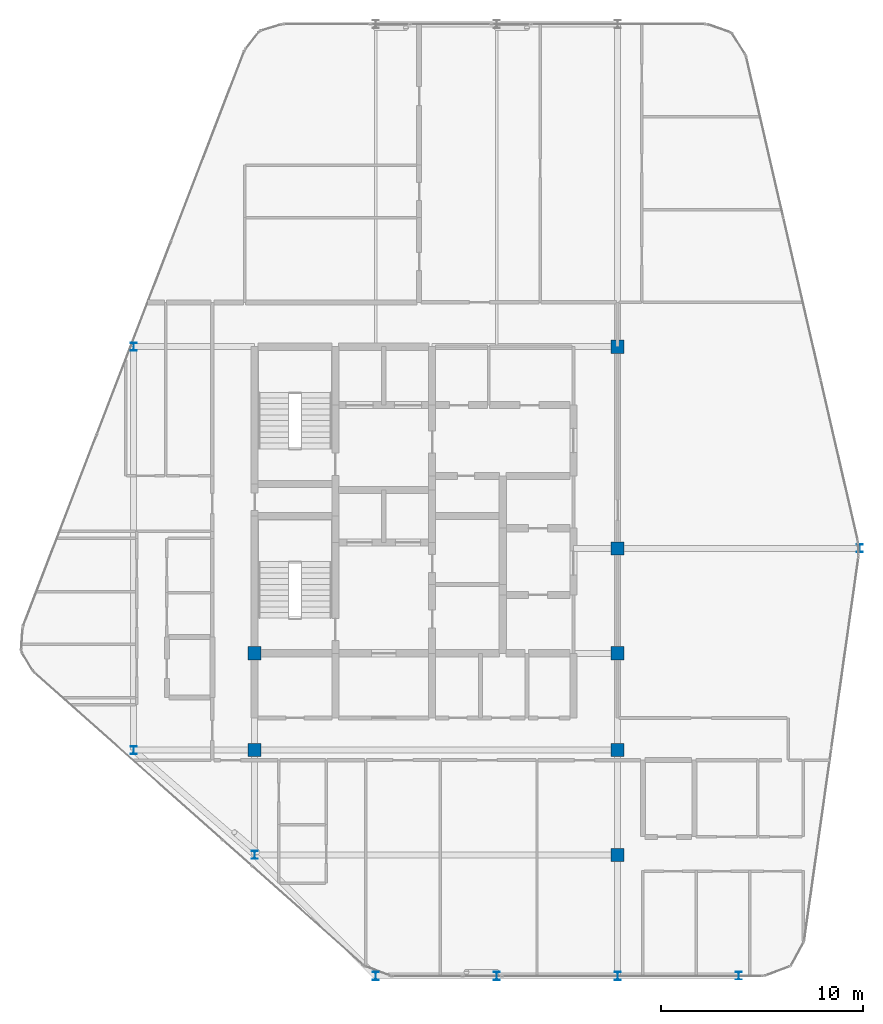
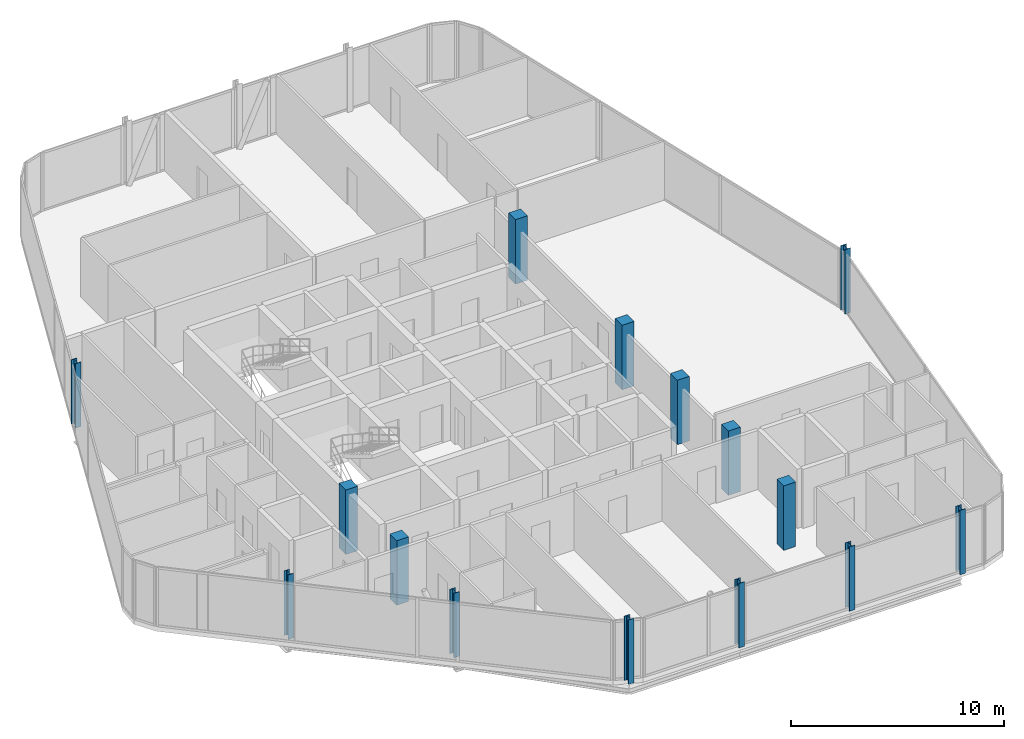
# One storey, part 1 of 27: 15 columns.
"""IFC4 building model written with IfcOpenShell, lengths in metres."""

from ifc_helpers import new_model, si_unit, direction, frame, origin, origin_2d, place, context, subcontext, project, spatial, rectangle, i_section, extrude, material, material_profile, profile_set, type_object, element, save


model = new_model("IFC4")

# Units and contexts
model_context = context("Model", 3, precision=1e-05, world=origin(), true_north=direction((0.0, 1.0)))
body_context = subcontext(model_context, "Body", "Model", "MODEL_VIEW")
ifc_project = project(units=[si_unit("LENGTHUNIT", "METRE"), si_unit("AREAUNIT", "SQUARE_METRE"), si_unit("VOLUMEUNIT", "CUBIC_METRE"), si_unit("PLANEANGLEUNIT", "RADIAN"), si_unit("MASSUNIT", "GRAM", prefix="KILO")], contexts=[model_context])

# Site, building, storey
site_placement = place(None, origin())
site = spatial("IfcSite", under=ifc_project, at=site_placement, CompositionType="ELEMENT")
building_placement = place(site_placement, origin())
building = spatial("IfcBuilding", under=site, at=building_placement, Name="Keshet Zoharim Tower", CompositionType="ELEMENT")
storey_placement = place(building_placement, frame((0.0, 0.0, 307.300048828125)))
storey = spatial("IfcBuildingStorey", under=building, at=storey_placement, Name="L77", CompositionType="ELEMENT", Elevation=307.300048828125)

# Columns
ifc_material_1 = material(Name="Steel S355", Category="steel")
ifc_material_profile_1 = material_profile(ifc_material_1, i_section(OverallWidth=0.300048828125, OverallDepth=0.39990234375, WebThickness=0.013427734375, FlangeThickness=0.02392578125, FilletRadius=0.027099609375, at=origin_2d()), Name="HEB400")
ifc_profile_set_1 = profile_set([ifc_material_profile_1], Name="Steel S355")
column_type_1 = type_object("IfcColumnType", Name="COL-HEB400", PredefinedType="COLUMN", material=ifc_profile_set_1)
for number, where, z_axis, x_axis, name in (
    (1, (9.0, 17.89990234375, 0.0), (0.0, 0.0, 1.0), (1.0, 0.0, 0.0), "L77 Column 2D"),
    (2, (9.0, 37.89990234375, 0.0), (0.0, 0.0, 1.0), (1.0, 0.0, 0.0), "L77 Column 2H"),
    (3, (15.0, 12.699951171875, 0.0), (0.0, 0.0, 1.0), (1.0, 0.0, 0.0), "L77 Column 3C"),
    (4, (21.0, 6.699951171875, 0.0), (0.0, 0.0, 1.0), (1.0, 0.0, 0.0), "L77 Column 4B"),
    (5, (27.0, 6.699951171875, 0.0), (0.0, 0.0, 1.0), (1.0, 0.0, 0.0), "L77 Column 5B"),
    (6, (33.0, 6.699951171875, 0.0), (0.0, 0.0, 1.0), (1.0, 0.0, 0.0), "L77 Column 6B"),
    (7, (39.0, 6.699951171875, 0.0), (0.0, 0.0, 1.0), (1.0, 0.0, 0.0), "L77 Column 7B"),
    (8, (45.0, 27.89990234375, 0.0), (0.0, 0.0, 1.0), (1.0, 0.0, 0.0), "L77 Column 8F"),
):
    element("IfcColumn", number, at=place(storey_placement, frame(where, z_axis=z_axis, x_axis=x_axis)), inside=storey, type_object=column_type_1, Name=name, PredefinedType="COLUMN", context=body_context, shape_type="SweptSolid", body=[
        extrude(i_section(OverallWidth=0.300048828125, OverallDepth=0.39990234375, WebThickness=0.013427734375, FlangeThickness=0.02392578125, FilletRadius=0.027099609375, at=origin_2d()), origin(), (0.0, 0.0, 1.0), 3.699951171875),
    ])
ifc_material_2 = material(Name="Concrete C50/60", Category="concrete")
ifc_material_profile_2 = material_profile(ifc_material_2, rectangle(XDim=0.64990234375, YDim=0.64990234375, at=origin_2d()), Name="RC650x650")
ifc_profile_set_2 = profile_set([ifc_material_profile_2], Name="Concrete C50/60")
column_type_2 = type_object("IfcColumnType", Name="COL-RC650", PredefinedType="COLUMN", material=ifc_profile_set_2)
for number, where, z_axis, x_axis, name in (
    (9, (15.0, 17.89990234375, 0.0), (0.0, 0.0, 1.0), (1.0, 0.0, 0.0), "L77 Column 3D"),
    (10, (15.0, 22.699951171875, 0.0), (0.0, 0.0, 1.0), (1.0, 0.0, 0.0), "L77 Column 3E"),
    (11, (33.0, 12.699951171875, 0.0), (0.0, 0.0, 1.0), (1.0, 0.0, 0.0), "L77 Column 6C"),
    (12, (33.0, 17.89990234375, 0.0), (0.0, 0.0, 1.0), (1.0, 0.0, 0.0), "L77 Column 6D"),
    (13, (33.0, 22.699951171875, 0.0), (0.0, 0.0, 1.0), (1.0, 0.0, 0.0), "L77 Column 6E"),
    (14, (33.0, 27.89990234375, 0.0), (0.0, 0.0, 1.0), (1.0, 0.0, 0.0), "L77 Column 6F"),
    (15, (33.0, 37.89990234375, 0.0), (0.0, 0.0, 1.0), (1.0, 0.0, 0.0), "L77 Column 6H"),
):
    element("IfcColumn", number, at=place(storey_placement, frame(where, z_axis=z_axis, x_axis=x_axis)), inside=storey, type_object=column_type_2, Name=name, PredefinedType="COLUMN", context=body_context, shape_type="SweptSolid", body=[
        extrude(rectangle(XDim=0.64990234375, YDim=0.64990234375, at=origin_2d()), origin(), (0.0, 0.0, 1.0), 3.699951171875),
    ])

save(model, "model.ifc")
